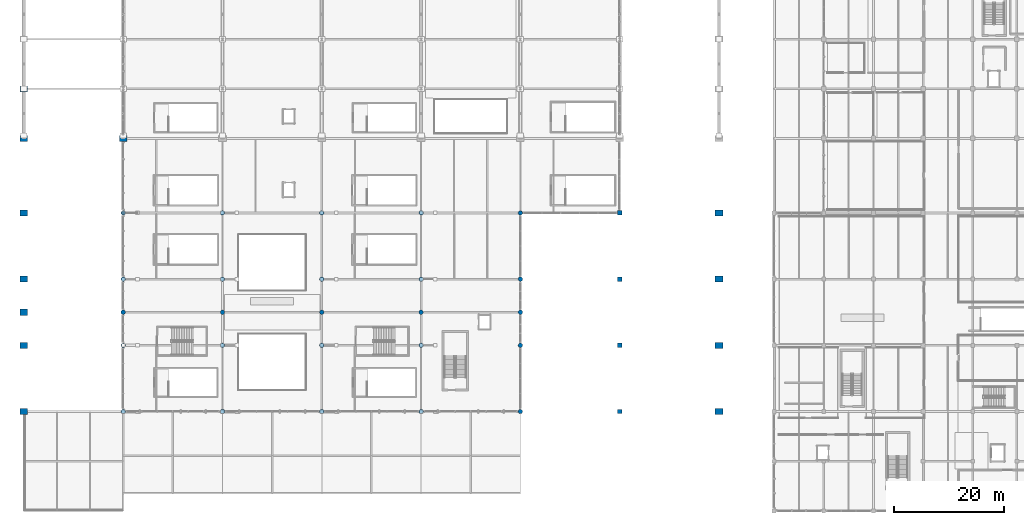
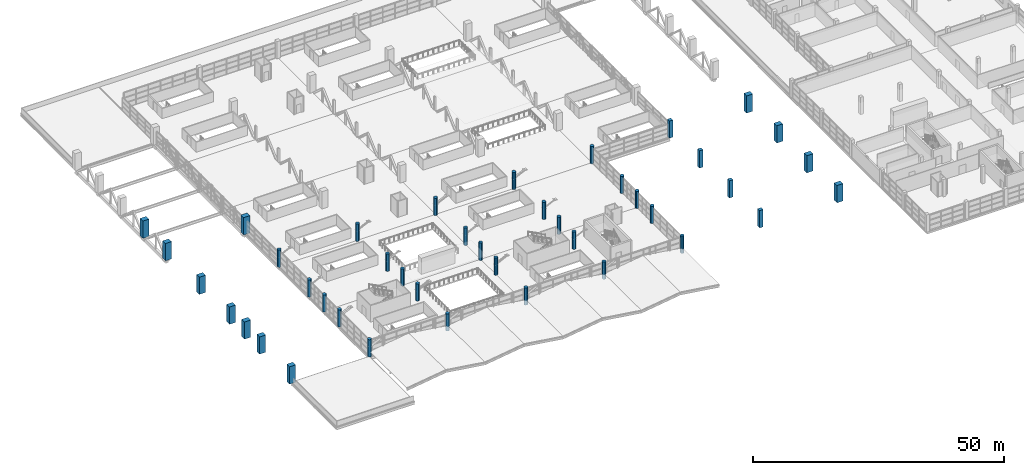
# One storey, part 1 of 136: 41 columns.
"""IFC4 building model written with IfcOpenShell, lengths in metres."""

from ifc_helpers import new_model, si_unit, direction, frame, origin, origin_2d, place, context, subcontext, project, spatial, rectangle, circle, extrude, material, material_profile, profile_set, type_object, element, save


model = new_model("IFC4")

# Units and contexts
model_context = context("Model", 3, precision=1e-05, world=origin(), true_north=direction((0.0, 1.0)))
body_context = subcontext(model_context, "Body", "Model", "MODEL_VIEW")
ifc_project = project(units=[si_unit("LENGTHUNIT", "METRE"), si_unit("AREAUNIT", "SQUARE_METRE"), si_unit("VOLUMEUNIT", "CUBIC_METRE"), si_unit("PLANEANGLEUNIT", "RADIAN"), si_unit("MASSUNIT", "GRAM", prefix="KILO")], contexts=[model_context])

# Site, building, storey
site_placement = place(None, origin())
site = spatial("IfcSite", under=ifc_project, at=site_placement, CompositionType="ELEMENT")
building_placement = place(site_placement, origin())
building = spatial("IfcBuilding", under=site, at=building_placement, Name="Chuanluo Vaults Station", CompositionType="ELEMENT")
storey_placement = place(building_placement, frame((0.0, 0.0, 6.60009765625)))
storey = spatial("IfcBuildingStorey", under=building, at=storey_placement, Name="L01", CompositionType="ELEMENT", Elevation=6.60009765625)

# Columns
ifc_material_1 = material(Name="Concrete C50", Category="concrete")
ifc_material_profile_1 = material_profile(ifc_material_1, circle(Radius=0.39990234375, at=origin_2d()))
ifc_profile_set_1 = profile_set([ifc_material_profile_1], Name="Concrete C50")
column_type_1 = type_object("IfcColumnType", Name="COL-CIR-800", PredefinedType="COLUMN", material=ifc_profile_set_1)
for number, where, z_axis, x_axis, name in (
    (1, (18.0, 18.0, 0.0), (0.0, 0.0, 1.0), (1.0, 0.0, 0.0), "Column L01-017"),
    (2, (18.0, 30.0, 0.0), (0.0, 0.0, 1.0), (1.0, 0.0, 0.0), "Column L01-018"),
    (3, (18.0, 36.0, 0.0), (0.0, 0.0, 1.0), (1.0, 0.0, 0.0), "Column L01-019"),
    (4, (18.0, 42.0, 0.0), (0.0, 0.0, 1.0), (1.0, 0.0, 0.0), "Column L01-020"),
    (5, (18.0, 54.0, 0.0), (0.0, 0.0, 1.0), (1.0, 0.0, 0.0), "Column L01-021"),
    (6, (36.0, 18.0, 0.0), (0.0, 0.0, 1.0), (1.0, 0.0, 0.0), "Column L01-026"),
    (7, (36.0, 30.0, 0.0), (0.0, 0.0, 1.0), (1.0, 0.0, 0.0), "Column L01-027"),
    (8, (36.0, 36.0, 0.0), (0.0, 0.0, 1.0), (1.0, 0.0, 0.0), "Column L01-028"),
    (9, (36.0, 42.0, 0.0), (0.0, 0.0, 1.0), (1.0, 0.0, 0.0), "Column L01-029"),
    (10, (36.0, 54.0, 0.0), (0.0, 0.0, 1.0), (1.0, 0.0, 0.0), "Column L01-030"),
    (11, (54.0, 18.0, 0.0), (0.0, 0.0, 1.0), (1.0, 0.0, 0.0), "Column L01-035"),
    (12, (54.0, 30.0, 0.0), (0.0, 0.0, 1.0), (1.0, 0.0, 0.0), "Column L01-036"),
    (13, (54.0, 36.0, 0.0), (0.0, 0.0, 1.0), (1.0, 0.0, 0.0), "Column L01-037"),
    (14, (54.0, 42.0, 0.0), (0.0, 0.0, 1.0), (1.0, 0.0, 0.0), "Column L01-038"),
    (15, (54.0, 54.0, 0.0), (0.0, 0.0, 1.0), (1.0, 0.0, 0.0), "Column L01-039"),
    (16, (72.0, 18.0, 0.0), (0.0, 0.0, 1.0), (1.0, 0.0, 0.0), "Column L01-044"),
    (17, (72.0, 30.0, 0.0), (0.0, 0.0, 1.0), (1.0, 0.0, 0.0), "Column L01-045"),
    (18, (72.0, 36.0, 0.0), (0.0, 0.0, 1.0), (1.0, 0.0, 0.0), "Column L01-046"),
    (19, (72.0, 42.0, 0.0), (0.0, 0.0, 1.0), (1.0, 0.0, 0.0), "Column L01-047"),
    (20, (72.0, 54.0, 0.0), (0.0, 0.0, 1.0), (1.0, 0.0, 0.0), "Column L01-048"),
    (21, (90.0, 18.0, 0.0), (0.0, 0.0, 1.0), (1.0, 0.0, 0.0), "Column L01-053"),
    (22, (90.0, 30.0, 0.0), (0.0, 0.0, 1.0), (1.0, 0.0, 0.0), "Column L01-054"),
    (23, (90.0, 36.0, 0.0), (0.0, 0.0, 1.0), (1.0, 0.0, 0.0), "Column L01-055"),
    (24, (90.0, 42.0, 0.0), (0.0, 0.0, 1.0), (1.0, 0.0, 0.0), "Column L01-056"),
    (25, (90.0, 54.0, 0.0), (0.0, 0.0, 1.0), (1.0, 0.0, 0.0), "Column L01-057"),
):
    element("IfcColumn", number, at=place(storey_placement, frame(where, z_axis=z_axis, x_axis=x_axis)), inside=storey, type_object=column_type_1, Name=name, PredefinedType="COLUMN", context=body_context, shape_type="SweptSolid", body=[
        extrude(circle(Radius=0.39990234375, at=origin_2d()), origin(), (0.0, 0.0, 1.0), 4.199951171875),
    ])
ifc_material_2 = material(Name="Concrete C40", Category="concrete")
ifc_material_profile_2 = material_profile(ifc_material_2, rectangle(XDim=0.800048828125, YDim=0.800048828125, at=origin_2d()))
ifc_profile_set_2 = profile_set([ifc_material_profile_2], Name="Concrete C40")
column_type_2 = type_object("IfcColumnType", Name="COL-RC-800x800", PredefinedType="COLUMN", material=ifc_profile_set_2)
for number, where, z_axis, x_axis, name in (
    (26, (108.0, 18.0, 0.0), (0.0, 0.0, 1.0), (1.0, 0.0, 0.0), "Column L01-062"),
    (27, (108.0, 30.0, 0.0), (0.0, 0.0, 1.0), (1.0, 0.0, 0.0), "Column L01-063"),
    (28, (108.0, 42.0, 0.0), (0.0, 0.0, 1.0), (1.0, 0.0, 0.0), "Column L01-064"),
    (29, (108.0, 54.0, 0.0), (0.0, 0.0, 1.0), (1.0, 0.0, 0.0), "Column L01-065"),
):
    element("IfcColumn", number, at=place(storey_placement, frame(where, z_axis=z_axis, x_axis=x_axis)), inside=storey, type_object=column_type_2, Name=name, PredefinedType="COLUMN", context=body_context, shape_type="SweptSolid", body=[
        extrude(rectangle(XDim=0.800048828125, YDim=0.800048828125, at=origin_2d()), origin(), (0.0, 0.0, 1.0), 4.199951171875),
    ])
ifc_material_3 = material(Name="Concrete C50", Category="concrete")
ifc_material_profile_3 = material_profile(ifc_material_3, rectangle(XDim=1.39990234375, YDim=1.10009765625, at=origin_2d()))
ifc_profile_set_3 = profile_set([ifc_material_profile_3], Name="Concrete C50")
column_type_3 = type_object("IfcColumnType", Name="COL-SRC-1400x1100", PredefinedType="COLUMN", material=ifc_profile_set_3)
for number, where, z_axis, x_axis, name in (
    (30, (0.0, 18.0, 0.0), (0.0, 0.0, 1.0), (1.0, 0.0, 0.0), "Column L01-003"),
    (31, (0.0, 30.0, 0.0), (0.0, 0.0, 1.0), (1.0, 0.0, 0.0), "Column L01-004"),
    (32, (0.0, 36.0, 0.0), (0.0, 0.0, 1.0), (1.0, 0.0, 0.0), "Column L01-005"),
    (33, (0.0, 42.0, 0.0), (0.0, 0.0, 1.0), (1.0, 0.0, 0.0), "Column L01-006"),
    (34, (0.0, 54.0, 0.0), (0.0, 0.0, 1.0), (1.0, 0.0, 0.0), "Column L01-007"),
    (35, (0.0, 67.5, 0.0), (0.0, 0.0, 1.0), (1.0, 0.0, 0.0), "Column L01-008"),
    (36, (0.0, 76.5, 0.0), (0.0, 0.0, 1.0), (1.0, 0.0, 0.0), "Column L01-009"),
    (37, (18.0, 67.5, 0.0), (0.0, 0.0, 1.0), (1.0, 0.0, 0.0), "Column L01-022"),
    (38, (126.0, 18.0, 0.0), (0.0, 0.0, 1.0), (1.0, 0.0, 0.0), "Column L01-073"),
    (39, (126.0, 30.0, 0.0), (0.0, 0.0, 1.0), (1.0, 0.0, 0.0), "Column L01-074"),
    (40, (126.0, 42.0, 0.0), (0.0, 0.0, 1.0), (1.0, 0.0, 0.0), "Column L01-075"),
    (41, (126.0, 54.0, 0.0), (0.0, 0.0, 1.0), (1.0, 0.0, 0.0), "Column L01-076"),
):
    element("IfcColumn", number, at=place(storey_placement, frame(where, z_axis=z_axis, x_axis=x_axis)), inside=storey, type_object=column_type_3, Name=name, PredefinedType="COLUMN", context=body_context, shape_type="SweptSolid", body=[
        extrude(rectangle(XDim=1.39990234375, YDim=1.10009765625, at=origin_2d()), origin(), (0.0, 0.0, 1.0), 4.199951171875),
    ])

save(model, "model.ifc")
